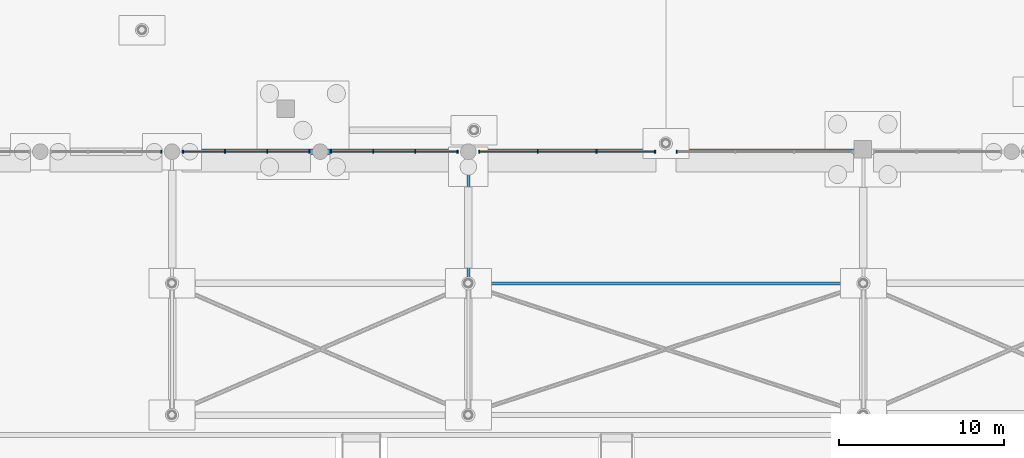
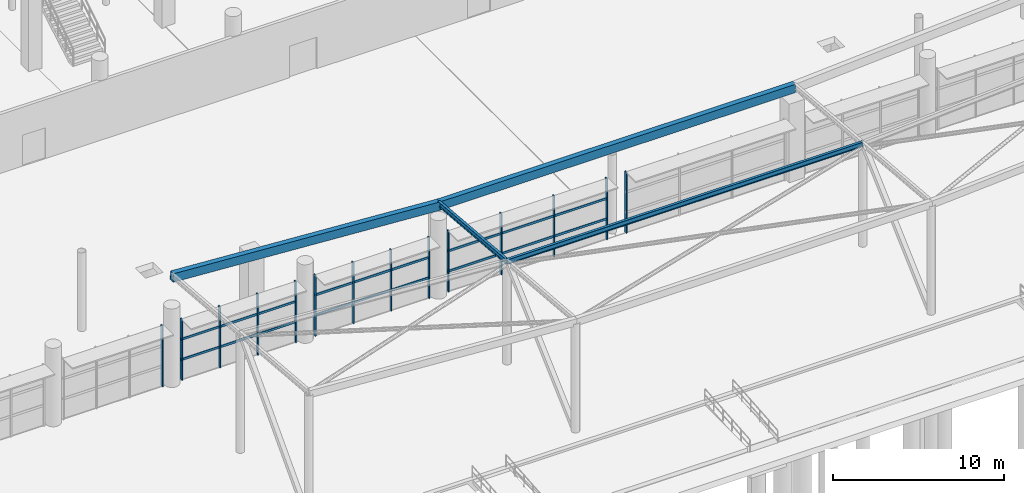
# One storey, part 37 of 98: 20 members, 4 beams, 5 elements without a shape of their own.
"""IFC4 building model written with IfcOpenShell, lengths in metres."""

import ifcopenshell
import ifcopenshell.guid

model = None  # the IFC model being written
_history = None  # IfcOwnerHistory: only IFC2X3 demands one
_inside = {}  # id of a spatial element -> (the spatial element, [elements in it])
_under = {}  # id of a project, library or spatial element -> (it, [spatial elements below it])
_declared = {}  # id of a project -> (the project, [libraries it declares])
_typed = {}  # id of a type object -> (the type object, [elements of that type])
_made_of = {}  # id of a material, layer set ... -> (it, [elements and type objects made of it])


def new_model(schema):
    """Start an empty IFC model of exactly this schema.

    Asked for "IFC4X3", IfcOpenShell would pick the latest addendum, in which some entities
    have other attributes; the version numbers below select the first issue.
    IFC2X3 requires an IfcOwnerHistory on every rooted entity: one is made here for all.
    """
    global model, _history
    if schema == "IFC4X3":
        model = ifcopenshell.file(schema_version=(4, 3, 0, 0))
    else:
        model = ifcopenshell.file(schema=schema)
    _inside.clear()
    _under.clear()
    _declared.clear()
    _typed.clear()
    _made_of.clear()
    _history = None
    if model.schema == "IFC2X3":
        org = make("IfcOrganization", Name="unknown")
        user = make(
            "IfcPersonAndOrganization",
            ThePerson=make("IfcPerson", FamilyName="unknown"),
            TheOrganization=org,
        )
        app = make(
            "IfcApplication",
            ApplicationDeveloper=org,
            Version="unknown",
            ApplicationFullName="unknown",
            ApplicationIdentifier="unknown",
        )
        _history = make(
            "IfcOwnerHistory",
            OwningUser=user,
            OwningApplication=app,
            ChangeAction="ADDED",
            CreationDate=0,
        )
    return model


def make(cls, **values):
    """One entity of the class cls with the attributes given. An attribute that is None is left unset."""
    return model.create_entity(
        cls, **{name: value for name, value in values.items() if value is not None}
    )


def rooted(cls, **values):
    """An entity with a GlobalId (a new one), such as an element, a storey or a relation."""
    return make(cls, GlobalId=ifcopenshell.guid.new(), OwnerHistory=_history, **values)


def si_unit(unit_type, name, prefix=None):
    """IfcSIUnit, for example si_unit("LENGTHUNIT", "METRE", prefix="MILLI")."""
    return make("IfcSIUnit", UnitType=unit_type, Prefix=prefix, Name=name)


def derived_unit(unit_type, elements):
    """IfcDerivedUnit: a product of units, each with its exponent."""
    return make(
        "IfcDerivedUnit",
        Elements=[
            make("IfcDerivedUnitElement", Unit=unit, Exponent=power)
            for unit, power in elements
        ],
        UnitType=unit_type,
    )


def assignment(units):
    """IfcUnitAssignment: the units of a project."""
    return None if units is None else make("IfcUnitAssignment", Units=units)


def point(xyz):
    """IfcCartesianPoint."""
    return None if xyz is None else make("IfcCartesianPoint", Coordinates=xyz)


def direction(xyz):
    """IfcDirection."""
    return None if xyz is None else make("IfcDirection", DirectionRatios=xyz)


def frame(location, z_axis=None, x_axis=None):
    """IfcAxis2Placement3D, a coordinate frame: its origin and axes. An axis left out is left unset."""
    return make(
        "IfcAxis2Placement3D",
        Location=point(location),
        Axis=direction(z_axis),
        RefDirection=direction(x_axis),
    )


def frame_2d(location, x_axis=None):
    """IfcAxis2Placement2D, a coordinate frame in the plane: its origin and x axis."""
    return make(
        "IfcAxis2Placement2D", Location=point(location), RefDirection=direction(x_axis)
    )


def origin():
    """The frame at (0, 0, 0) with its axes left unset."""
    return frame((0.0, 0.0, 0.0))


def origin_2d():
    """The frame at (0, 0) in the plane with its x axis left unset."""
    return frame_2d((0.0, 0.0))


def place(relative_to, where):
    """IfcLocalPlacement: puts the frame where relative to a parent placement (None: the world)."""
    return make(
        "IfcLocalPlacement", PlacementRelTo=relative_to, RelativePlacement=where
    )


def context(
    kind, dimensions, precision=None, world=None, true_north=None, identifier=None
):
    """IfcGeometricRepresentationContext, for example the 3D "Model" context."""
    return make(
        "IfcGeometricRepresentationContext",
        ContextIdentifier=identifier,
        ContextType=kind,
        CoordinateSpaceDimension=dimensions,
        Precision=precision,
        WorldCoordinateSystem=world,
        TrueNorth=true_north,
    )


def subcontext(parent, identifier, kind, view, scale=None):
    """IfcGeometricRepresentationSubContext, for example "Body" below "Model"."""
    return make(
        "IfcGeometricRepresentationSubContext",
        ContextIdentifier=identifier,
        ContextType=kind,
        ParentContext=parent,
        TargetScale=scale,
        TargetView=view,
    )


def project(units=None, contexts=None):
    """IfcProject with its units and contexts."""
    return rooted(
        "IfcProject",
        Name="project",
        RepresentationContexts=contexts,
        UnitsInContext=assignment(units),
    )


def spatial(cls, under=None, at=None, **own):
    """A site, building, storey or space (cls), placed at a placement, below another one or the project."""
    s = rooted(cls, ObjectPlacement=at, **own)
    if under is not None:
        _under.setdefault(under.id(), (under, []))[1].append(s)
    return s


def profile(cls, at=None, kind="AREA", **sizes):
    """A parametric profile (cls). Its sizes go by their IFC names, for example OverallWidth=200.0."""
    return make(cls, ProfileType=kind, Position=at, **sizes)


def rectangle(**sizes):
    """IfcRectangleProfileDef."""
    return profile("IfcRectangleProfileDef", **sizes)


def hollow_rectangle(**sizes):
    """IfcRectangleHollowProfileDef."""
    return profile("IfcRectangleHollowProfileDef", **sizes)


def i_section(**sizes):
    """IfcIShapeProfileDef."""
    return profile("IfcIShapeProfileDef", **sizes)


def extrude(swept, where, along, depth):
    """IfcExtrudedAreaSolid: the profile swept, set in the frame where, extruded along a direction by depth."""
    return make(
        "IfcExtrudedAreaSolid",
        SweptArea=swept,
        Position=where,
        ExtrudedDirection=direction(along),
        Depth=depth,
    )


def shape(context_of_items, identifier, shape_type, items):
    """IfcShapeRepresentation: the items that make up one representation, for example the "Body"."""
    return make(
        "IfcShapeRepresentation",
        ContextOfItems=context_of_items,
        RepresentationIdentifier=identifier,
        RepresentationType=shape_type,
        Items=items,
    )


def material(Name=None, Category=None):
    """IfcMaterial."""
    return make("IfcMaterial", Name=Name, Category=Category)


def layer(
    of_material, thickness, ventilated=None, Name=None, Category=None, Priority=None
):
    """IfcMaterialLayer: one layer of a wall or slab, of a material (None: an air gap)."""
    return make(
        "IfcMaterialLayer",
        Material=of_material,
        LayerThickness=thickness,
        IsVentilated=ventilated,
        Name=Name,
        Category=Category,
        Priority=Priority,
    )


def layer_set(layers, Name=None):
    """IfcMaterialLayerSet."""
    return make("IfcMaterialLayerSet", MaterialLayers=layers, LayerSetName=Name)


def material_profile(
    of_material, cross_section, Name=None, Category=None, Priority=None
):
    """IfcMaterialProfile: a cross section and its material."""
    return make(
        "IfcMaterialProfile",
        Name=Name,
        Material=of_material,
        Profile=cross_section,
        Priority=Priority,
        Category=Category,
    )


def profile_set(profiles, Name=None, composite=None):
    """IfcMaterialProfileSet."""
    return make(
        "IfcMaterialProfileSet",
        Name=Name,
        MaterialProfiles=profiles,
        CompositeProfile=composite,
    )


def made_of(thing, what):
    """Note that an element or type object is made of a material, layer set ...; save() writes the relation."""
    if what is not None:
        _made_of.setdefault(what.id(), (what, []))[1].append(thing)
    return thing


def type_object(cls, material=None, **own):
    """A type object (cls), such as IfcWallType, which elements share."""
    return made_of(rooted(cls, **own), material)


def element(
    cls,
    number,
    at=None,
    inside=None,
    cuts=None,
    type_object=None,
    material=None,
    context=None,
    identifier="Body",
    shape_type=None,
    held_by="IfcProductDefinitionShape",
    body=None,
    shapes=None,
    **own,
):
    """One element of the class cls, such as IfcWall. Its Tag is "e" and its number.

    at: its placement. inside: the storey or other place that contains it. cuts: it is an
    opening in that element (IfcRelVoidsElement). A single representation is given by context,
    identifier, shape_type and body (its items); several are given by shapes. held_by: the class
    of the entity that holds the representations. save() writes the other relations.
    """
    e = rooted(cls, Tag="e%d" % number, ObjectPlacement=at, **own)
    if body is not None:
        shapes = [shape(context, identifier, shape_type, body)]
    if shapes is not None:
        e.Representation = make(held_by, Representations=shapes)
    if inside is not None:
        _inside.setdefault(inside.id(), (inside, []))[1].append(e)
    if cuts is not None:
        rooted(
            "IfcRelVoidsElement", RelatingBuildingElement=cuts, RelatedOpeningElement=e
        )
    if type_object is not None:
        _typed.setdefault(type_object.id(), (type_object, []))[1].append(e)
    return made_of(e, material)


def aggregate(whole, parts):
    """IfcRelAggregates: a whole, such as a stair, and the parts it consists of."""
    return rooted("IfcRelAggregates", RelatingObject=whole, RelatedObjects=parts)


def save(model, path):
    """Write the relations noted so far, then the file.

    IfcRelAggregates (storeys below a building ...), IfcRelContainedInSpatialStructure (elements
    in a storey), IfcRelDefinesByType, IfcRelAssociatesMaterial and IfcRelDeclares: one each for
    every whole, place, type object, material and project.
    """
    for whole, parts in _under.values():
        aggregate(whole, parts)
    for where, things in _inside.values():
        rooted(
            "IfcRelContainedInSpatialStructure",
            RelatedElements=things,
            RelatingStructure=where,
        )
    for kind, things in _typed.values():
        rooted("IfcRelDefinesByType", RelatedObjects=things, RelatingType=kind)
    for what, things in _made_of.values():
        rooted("IfcRelAssociatesMaterial", RelatedObjects=things, RelatingMaterial=what)
    for by, libraries in _declared.values():
        rooted("IfcRelDeclares", RelatingContext=by, RelatedDefinitions=libraries)
    model.write(path)


model = new_model("IFC4")

# Units and contexts
model_context = context("Model", 3, precision=1e-05, world=origin(), true_north=direction((0.0, 1.0)))
body_context = subcontext(model_context, "Body", "Model", "MODEL_VIEW")
ifc_project = project(units=[si_unit("LENGTHUNIT", "METRE"), si_unit("AREAUNIT", "SQUARE_METRE"), si_unit("VOLUMEUNIT", "CUBIC_METRE"), si_unit("PLANEANGLEUNIT", "RADIAN"), si_unit("MASSUNIT", "GRAM", prefix="KILO"), si_unit("THERMODYNAMICTEMPERATUREUNIT", "KELVIN"), derived_unit("THERMALTRANSMITTANCEUNIT", [(si_unit("POWERUNIT", "WATT"), 1), (si_unit("AREAUNIT", "SQUARE_METRE"), -1), (si_unit("THERMODYNAMICTEMPERATUREUNIT", "KELVIN"), -1)])], contexts=[model_context])

# Site, building, storey
site_placement = place(None, origin())
site = spatial("IfcSite", under=ifc_project, at=site_placement, CompositionType="ELEMENT")
building_placement = place(site_placement, origin())
building = spatial("IfcBuilding", under=site, at=building_placement, Name="Haiyu Intermodal Mobility Hub", CompositionType="ELEMENT")
storey_placement = place(building_placement, origin())
storey = spatial("IfcBuildingStorey", under=building, at=storey_placement, Name="L00", CompositionType="ELEMENT", Elevation=0.0)

# Beams
ifc_material_1 = material(Name="Steel Q355C", Category="steel")
ifc_material_profile_1 = material_profile(ifc_material_1, hollow_rectangle(XDim=0.35009765625, YDim=0.60009765625, WallThickness=0.01806640625, at=origin_2d()), Name="RHS600x350x18")
ifc_profile_set_1 = profile_set([ifc_material_profile_1], Name="Steel Q355C")
beam_type_1 = type_object("IfcBeamType", Name="BM-SB02", PredefinedType="BEAM", material=ifc_profile_set_1)
beam_1_placement = place(storey_placement, frame((78.0, 40.0, 7.58203125), z_axis=(0.997894450833, 0.0, -0.064858808165), x_axis=(0.0, 1.0, 0.0)))
element("IfcBeam", 1, at=beam_1_placement, inside=storey, type_object=beam_type_1, Name="BM-CAN-L00-007", PredefinedType="BEAM", context=body_context, shape_type="SweptSolid", body=[
    extrude(hollow_rectangle(XDim=0.35009765625, YDim=0.60009765625, WallThickness=0.01806640625, at=origin_2d()), origin(), (0.0, 0.0, 1.0), 18.0380859375),
])
beam_2_placement = place(storey_placement, frame((96.0, 40.0, 6.412109375), z_axis=(1.0, 0.0, 0.0), x_axis=(0.0, 1.0, 0.0)))
element("IfcBeam", 2, at=beam_2_placement, inside=storey, type_object=beam_type_1, Name="BM-CAN-L00-008", PredefinedType="BEAM", context=body_context, shape_type="SweptSolid", body=[
    extrude(hollow_rectangle(XDim=0.35009765625, YDim=0.60009765625, WallThickness=0.01806640625, at=origin_2d()), origin(), (0.0, 0.0, 1.0), 24.0),
])
ifc_material_profile_2 = material_profile(ifc_material_1, i_section(OverallWidth=0.175048828125, OverallDepth=0.35009765625, WebThickness=0.007080078125, FlangeThickness=0.010986328125, FilletRadius=0.013916015625, at=origin_2d()), Name="HN350x175x7x11")
ifc_profile_set_2 = profile_set([ifc_material_profile_2], Name="Steel Q355C")
beam_type_2 = type_object("IfcBeamType", Name="BM-SB09", PredefinedType="JOIST", material=ifc_profile_set_2)
beam_3_placement = place(storey_placement, frame((96.0, 32.0, 7.2119140625), z_axis=(1.0, 0.0, 0.0), x_axis=(0.0, 1.0, 0.0)))
element("IfcBeam", 3, at=beam_3_placement, inside=storey, type_object=beam_type_2, Name="BM-CAN-L00-005", PredefinedType="JOIST", context=body_context, shape_type="SweptSolid", body=[
    extrude(i_section(OverallWidth=0.175048828125, OverallDepth=0.35009765625, WebThickness=0.007080078125, FlangeThickness=0.010986328125, FilletRadius=0.013916015625, at=origin_2d()), origin(), (0.0, 0.0, 1.0), 24.0),
])
beam_4_placement = place(storey_placement, frame((96.0, 32.0, 7.215087890625), z_axis=(0.0, 0.996454104571, -0.084138085814), x_axis=(-1.0, 0.0, 0.0)))
element("IfcBeam", 4, at=beam_4_placement, inside=storey, type_object=beam_type_2, Name="BM-CANT-L00-013", PredefinedType="JOIST", context=body_context, shape_type="SweptSolid", body=[
    extrude(i_section(OverallWidth=0.175048828125, OverallDepth=0.35009765625, WebThickness=0.007080078125, FlangeThickness=0.010986328125, FilletRadius=0.013916015625, at=origin_2d()), origin(), (0.0, 0.0, 1.0), 7.98828125),
])

# Curtain wall, member
ifc_material_2 = material(Name="Low-e laminated insulating glass", Category="glass")
ifc_layer = layer(ifc_material_2, 0.219970703125)
ifc_layer_set = layer_set([ifc_layer], Name="Low-e laminated insulating glass")
curtain_wall_type = type_object("IfcCurtainWallType", Name="CW-CW01", PredefinedType="NOTDEFINED", material=ifc_layer_set)
curtain_wall_1_placement = place(storey_placement, origin())
curtain_wall_1 = element("IfcCurtainWall", 5, at=curtain_wall_1_placement, inside=storey, type_object=curtain_wall_type, Name="Curtain Wall CW-V1S-L00-003", PredefinedType="NOTDEFINED")
ifc_material_3 = material(Name="Anodised aluminium 6063-T6", Category="aluminium")
ifc_material_profile_3 = material_profile(ifc_material_3, rectangle(XDim=0.074951171875, YDim=0.199951171875, at=origin_2d()), Name="ALU75x200")
ifc_profile_set_3 = profile_set([ifc_material_profile_3], Name="Anodised aluminium 6063-T6")
member_type_1 = type_object("IfcMemberType", Name="CWM-ML01", PredefinedType="MULLION", material=ifc_profile_set_3)
member_1_placement = place(storey_placement, frame((77.340087890625, 40.0, 0.0), z_axis=(0.0, 0.0, 1.0), x_axis=(1.0, 0.0, 0.0)))
member_1 = element("IfcMember", 6, at=member_1_placement, type_object=member_type_1, Name="CW-V1S-L00-003-ML04", PredefinedType="MULLION", context=body_context, shape_type="SweptSolid", body=[
    extrude(rectangle(XDim=0.074951171875, YDim=0.199951171875, at=origin_2d()), origin(), (0.0, 0.0, 1.0), 4.35009765625),
])
aggregate(curtain_wall_1, [member_1])

# Curtain wall, members
curtain_wall_2_placement = place(storey_placement, origin())
curtain_wall_2 = element("IfcCurtainWall", 7, at=curtain_wall_2_placement, inside=storey, type_object=curtain_wall_type, Name="Curtain Wall CW-V1S-L00-005", PredefinedType="NOTDEFINED")
member_2_placement = place(storey_placement, frame((78.659912109375, 40.0, 0.0), z_axis=(0.0, 0.0, 1.0), x_axis=(1.0, 0.0, 0.0)))
member_2 = element("IfcMember", 8, at=member_2_placement, type_object=member_type_1, Name="CW-V1S-L00-005-ML01", PredefinedType="MULLION", context=body_context, shape_type="SweptSolid", body=[
    extrude(rectangle(XDim=0.074951171875, YDim=0.199951171875, at=origin_2d()), origin(), (0.0, 0.0, 1.0), 4.35009765625),
])
member_3_placement = place(storey_placement, frame((81.219970703125, 40.0, 0.0), z_axis=(0.0, 0.0, 1.0), x_axis=(1.0, 0.0, 0.0)))
member_3 = element("IfcMember", 9, at=member_3_placement, type_object=member_type_1, Name="CW-V1S-L00-005-ML02", PredefinedType="MULLION", context=body_context, shape_type="SweptSolid", body=[
    extrude(rectangle(XDim=0.074951171875, YDim=0.199951171875, at=origin_2d()), origin(), (0.0, 0.0, 1.0), 4.35009765625),
])
member_4_placement = place(storey_placement, frame((83.780029296875, 40.0, 0.0), z_axis=(0.0, 0.0, 1.0), x_axis=(1.0, 0.0, 0.0)))
member_4 = element("IfcMember", 10, at=member_4_placement, type_object=member_type_1, Name="CW-V1S-L00-005-ML03", PredefinedType="MULLION", context=body_context, shape_type="SweptSolid", body=[
    extrude(rectangle(XDim=0.074951171875, YDim=0.199951171875, at=origin_2d()), origin(), (0.0, 0.0, 1.0), 4.35009765625),
])
member_5_placement = place(storey_placement, frame((86.340087890625, 40.0, 0.0), z_axis=(0.0, 0.0, 1.0), x_axis=(1.0, 0.0, 0.0)))
member_5 = element("IfcMember", 11, at=member_5_placement, type_object=member_type_1, Name="CW-V1S-L00-005-ML04", PredefinedType="MULLION", context=body_context, shape_type="SweptSolid", body=[
    extrude(rectangle(XDim=0.074951171875, YDim=0.199951171875, at=origin_2d()), origin(), (0.0, 0.0, 1.0), 4.35009765625),
])

curtain_wall_3_placement = place(storey_placement, origin())
curtain_wall_3 = element("IfcCurtainWall", 12, at=curtain_wall_3_placement, inside=storey, type_object=curtain_wall_type, Name="Curtain Wall CW-V1S-L00-007", PredefinedType="NOTDEFINED")
member_6_placement = place(storey_placement, frame((87.659912109375, 40.0, 0.0), z_axis=(0.0, 0.0, 1.0), x_axis=(1.0, 0.0, 0.0)))
member_6 = element("IfcMember", 13, at=member_6_placement, type_object=member_type_1, Name="CW-V1S-L00-007-ML01", PredefinedType="MULLION", context=body_context, shape_type="SweptSolid", body=[
    extrude(rectangle(XDim=0.074951171875, YDim=0.199951171875, at=origin_2d()), origin(), (0.0, 0.0, 1.0), 4.35009765625),
])
member_7_placement = place(storey_placement, frame((90.219970703125, 40.0, 0.0), z_axis=(0.0, 0.0, 1.0), x_axis=(1.0, 0.0, 0.0)))
member_7 = element("IfcMember", 14, at=member_7_placement, type_object=member_type_1, Name="CW-V1S-L00-007-ML02", PredefinedType="MULLION", context=body_context, shape_type="SweptSolid", body=[
    extrude(rectangle(XDim=0.074951171875, YDim=0.199951171875, at=origin_2d()), origin(), (0.0, 0.0, 1.0), 4.35009765625),
])
member_8_placement = place(storey_placement, frame((92.780029296875, 40.0, 0.0), z_axis=(0.0, 0.0, 1.0), x_axis=(1.0, 0.0, 0.0)))
member_8 = element("IfcMember", 15, at=member_8_placement, type_object=member_type_1, Name="CW-V1S-L00-007-ML03", PredefinedType="MULLION", context=body_context, shape_type="SweptSolid", body=[
    extrude(rectangle(XDim=0.074951171875, YDim=0.199951171875, at=origin_2d()), origin(), (0.0, 0.0, 1.0), 4.35009765625),
])
member_9_placement = place(storey_placement, frame((95.340087890625, 40.0, 0.0), z_axis=(0.0, 0.0, 1.0), x_axis=(1.0, 0.0, 0.0)))
member_9 = element("IfcMember", 16, at=member_9_placement, type_object=member_type_1, Name="CW-V1S-L00-007-ML04", PredefinedType="MULLION", context=body_context, shape_type="SweptSolid", body=[
    extrude(rectangle(XDim=0.074951171875, YDim=0.199951171875, at=origin_2d()), origin(), (0.0, 0.0, 1.0), 4.35009765625),
])

curtain_wall_4_placement = place(storey_placement, origin())
curtain_wall_4 = element("IfcCurtainWall", 17, at=curtain_wall_4_placement, inside=storey, type_object=curtain_wall_type, Name="Curtain Wall CW-V1S-L00-009", PredefinedType="NOTDEFINED")
member_10_placement = place(storey_placement, frame((96.659912109375, 40.0, 0.0), z_axis=(0.0, 0.0, 1.0), x_axis=(1.0, 0.0, 0.0)))
member_10 = element("IfcMember", 18, at=member_10_placement, type_object=member_type_1, Name="CW-V1S-L00-009-ML01", PredefinedType="MULLION", context=body_context, shape_type="SweptSolid", body=[
    extrude(rectangle(XDim=0.074951171875, YDim=0.199951171875, at=origin_2d()), origin(), (0.0, 0.0, 1.0), 4.35009765625),
])
member_11_placement = place(storey_placement, frame((100.219970703125, 40.0, 0.0), z_axis=(0.0, 0.0, 1.0), x_axis=(1.0, 0.0, 0.0)))
member_11 = element("IfcMember", 19, at=member_11_placement, type_object=member_type_1, Name="CW-V1S-L00-009-ML02", PredefinedType="MULLION", context=body_context, shape_type="SweptSolid", body=[
    extrude(rectangle(XDim=0.074951171875, YDim=0.199951171875, at=origin_2d()), origin(), (0.0, 0.0, 1.0), 4.35009765625),
])
member_12_placement = place(storey_placement, frame((103.780029296875, 40.0, 0.0), z_axis=(0.0, 0.0, 1.0), x_axis=(1.0, 0.0, 0.0)))
member_12 = element("IfcMember", 20, at=member_12_placement, type_object=member_type_1, Name="CW-V1S-L00-009-ML03", PredefinedType="MULLION", context=body_context, shape_type="SweptSolid", body=[
    extrude(rectangle(XDim=0.074951171875, YDim=0.199951171875, at=origin_2d()), origin(), (0.0, 0.0, 1.0), 4.35009765625),
])
member_13_placement = place(storey_placement, frame((107.340087890625, 40.0, 0.0), z_axis=(0.0, 0.0, 1.0), x_axis=(1.0, 0.0, 0.0)))
member_13 = element("IfcMember", 21, at=member_13_placement, type_object=member_type_1, Name="CW-V1S-L00-009-ML04", PredefinedType="MULLION", context=body_context, shape_type="SweptSolid", body=[
    extrude(rectangle(XDim=0.074951171875, YDim=0.199951171875, at=origin_2d()), origin(), (0.0, 0.0, 1.0), 4.35009765625),
])

# Curtain wall, member
curtain_wall_5_placement = place(storey_placement, origin())
curtain_wall_5 = element("IfcCurtainWall", 22, at=curtain_wall_5_placement, inside=storey, type_object=curtain_wall_type, Name="Curtain Wall CW-V1S-L00-011", PredefinedType="NOTDEFINED")
member_14_placement = place(storey_placement, frame((108.659912109375, 40.0, 0.0), z_axis=(0.0, 0.0, 1.0), x_axis=(1.0, 0.0, 0.0)))
member_14 = element("IfcMember", 23, at=member_14_placement, type_object=member_type_1, Name="CW-V1S-L00-011-ML01", PredefinedType="MULLION", context=body_context, shape_type="SweptSolid", body=[
    extrude(rectangle(XDim=0.074951171875, YDim=0.199951171875, at=origin_2d()), origin(), (0.0, 0.0, 1.0), 4.35009765625),
])
aggregate(curtain_wall_5, [member_14])

# Member
ifc_material_profile_4 = material_profile(ifc_material_3, rectangle(XDim=0.074951171875, YDim=0.159912109375, at=origin_2d()), Name="ALU75x160")
ifc_profile_set_4 = profile_set([ifc_material_profile_4], Name="Anodised aluminium 6063-T6")
member_type_2 = type_object("IfcMemberType", Name="CWM-TR01", PredefinedType="USERDEFINED", material=ifc_profile_set_4)
member_15_placement = place(storey_placement, frame((78.6201171875, 40.0, 1.449951171875), z_axis=(1.0, 0.0, 0.0), x_axis=(0.0, 1.0, 0.0)))
member_15 = element("IfcMember", 24, at=member_15_placement, type_object=member_type_2, Name="CW-V1S-L00-005-TR01", ObjectType="TRANSOM", PredefinedType="USERDEFINED", context=body_context, shape_type="SweptSolid", body=[
    extrude(rectangle(XDim=0.074951171875, YDim=0.159912109375, at=origin_2d()), origin(), (0.0, 0.0, 1.0), 7.759765625),
])

member_16_placement = place(storey_placement, frame((78.6201171875, 40.0, 2.89990234375), z_axis=(1.0, 0.0, 0.0), x_axis=(0.0, 1.0, 0.0)))
member_16 = element("IfcMember", 25, at=member_16_placement, type_object=member_type_2, Name="CW-V1S-L00-005-TR02", ObjectType="TRANSOM", PredefinedType="USERDEFINED", context=body_context, shape_type="SweptSolid", body=[
    extrude(rectangle(XDim=0.074951171875, YDim=0.159912109375, at=origin_2d()), origin(), (0.0, 0.0, 1.0), 7.759765625),
])

aggregate(curtain_wall_2, [member_2, member_3, member_4, member_5, member_15, member_16])

member_17_placement = place(storey_placement, frame((87.6201171875, 40.0, 1.449951171875), z_axis=(1.0, 0.0, 0.0), x_axis=(0.0, 1.0, 0.0)))
member_17 = element("IfcMember", 26, at=member_17_placement, type_object=member_type_2, Name="CW-V1S-L00-007-TR01", ObjectType="TRANSOM", PredefinedType="USERDEFINED", context=body_context, shape_type="SweptSolid", body=[
    extrude(rectangle(XDim=0.074951171875, YDim=0.159912109375, at=origin_2d()), origin(), (0.0, 0.0, 1.0), 7.759765625),
])

member_18_placement = place(storey_placement, frame((87.6201171875, 40.0, 2.89990234375), z_axis=(1.0, 0.0, 0.0), x_axis=(0.0, 1.0, 0.0)))
member_18 = element("IfcMember", 27, at=member_18_placement, type_object=member_type_2, Name="CW-V1S-L00-007-TR02", ObjectType="TRANSOM", PredefinedType="USERDEFINED", context=body_context, shape_type="SweptSolid", body=[
    extrude(rectangle(XDim=0.074951171875, YDim=0.159912109375, at=origin_2d()), origin(), (0.0, 0.0, 1.0), 7.759765625),
])

aggregate(curtain_wall_3, [member_6, member_7, member_8, member_9, member_17, member_18])

member_19_placement = place(storey_placement, frame((96.6201171875, 40.0, 1.449951171875), z_axis=(1.0, 0.0, 0.0), x_axis=(0.0, 1.0, 0.0)))
member_19 = element("IfcMember", 28, at=member_19_placement, type_object=member_type_2, Name="CW-V1S-L00-009-TR01", ObjectType="TRANSOM", PredefinedType="USERDEFINED", context=body_context, shape_type="SweptSolid", body=[
    extrude(rectangle(XDim=0.074951171875, YDim=0.159912109375, at=origin_2d()), origin(), (0.0, 0.0, 1.0), 10.759765625),
])

member_20_placement = place(storey_placement, frame((96.6201171875, 40.0, 2.89990234375), z_axis=(1.0, 0.0, 0.0), x_axis=(0.0, 1.0, 0.0)))
member_20 = element("IfcMember", 29, at=member_20_placement, type_object=member_type_2, Name="CW-V1S-L00-009-TR02", ObjectType="TRANSOM", PredefinedType="USERDEFINED", context=body_context, shape_type="SweptSolid", body=[
    extrude(rectangle(XDim=0.074951171875, YDim=0.159912109375, at=origin_2d()), origin(), (0.0, 0.0, 1.0), 10.759765625),
])

aggregate(curtain_wall_4, [member_10, member_11, member_12, member_13, member_19, member_20])

save(model, "model.ifc")
